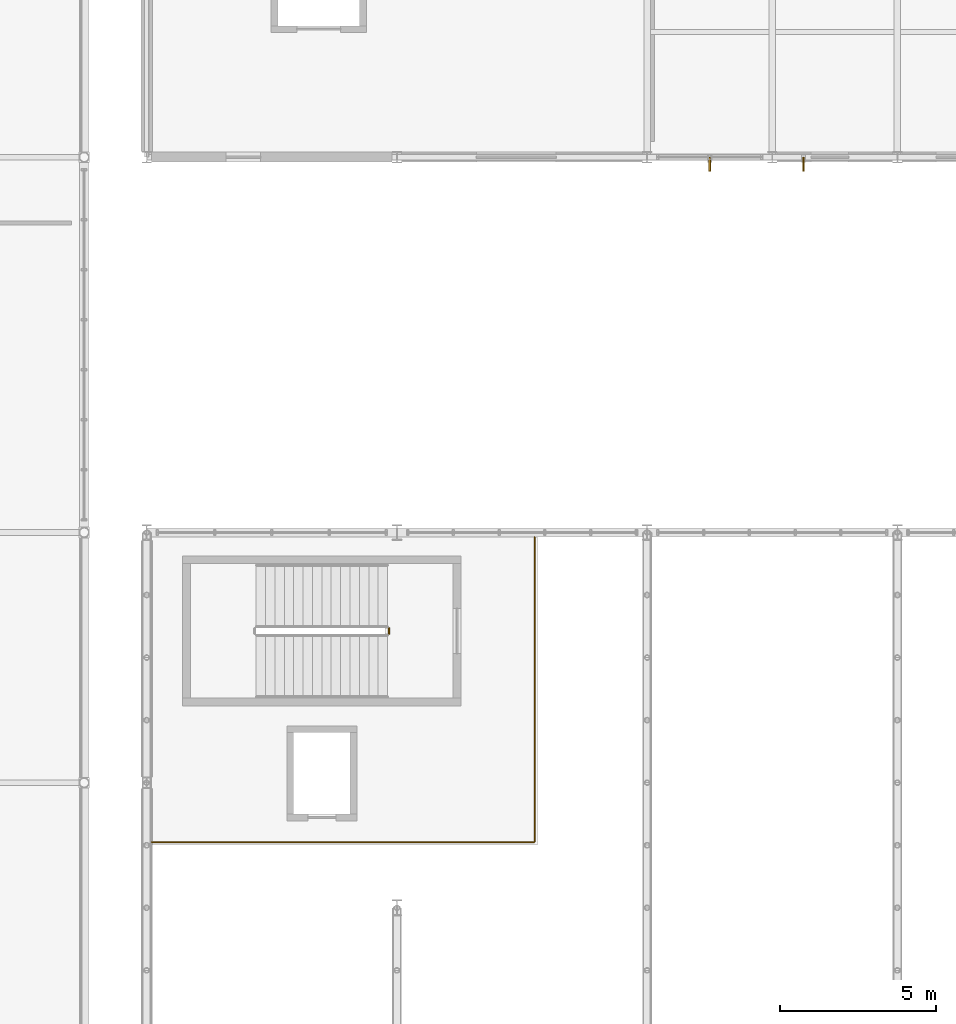
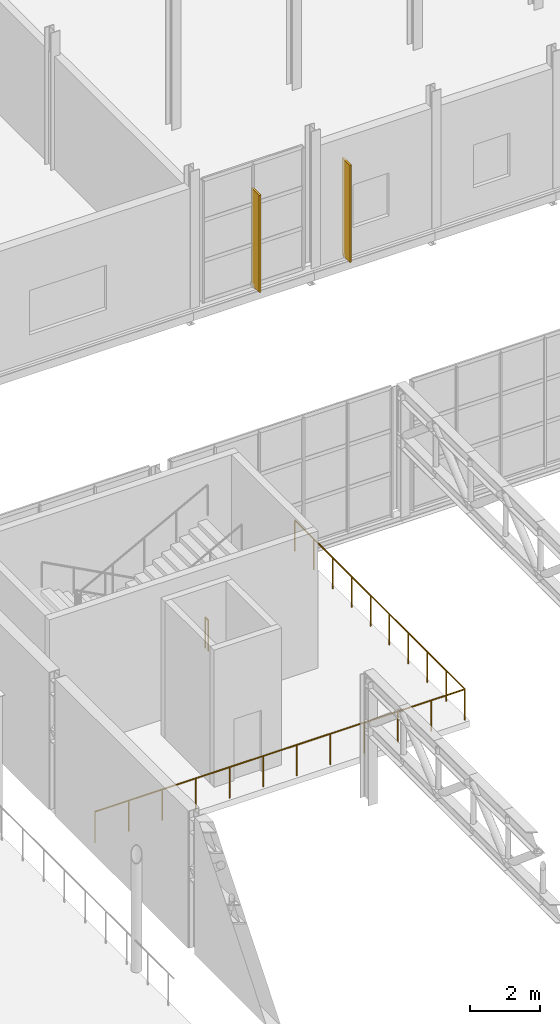
# One storey, part 133 of 143: 2 railings, 2 shading devices.
"""IFC4 building model written with IfcOpenShell, lengths in metres."""

from ifc_helpers import new_model, si_unit, derived_unit, direction, frame, origin, origin_2d, place, context, subcontext, project, spatial, rectangle, circle, extrude, material, type_object, element, save


model = new_model("IFC4")

# Units and contexts
model_context = context("Model", 3, precision=1e-05, world=origin(), true_north=direction((0.0, 1.0)))
body_context = subcontext(model_context, "Body", "Model", "MODEL_VIEW")
ifc_project = project(units=[si_unit("LENGTHUNIT", "METRE"), si_unit("AREAUNIT", "SQUARE_METRE"), si_unit("VOLUMEUNIT", "CUBIC_METRE"), si_unit("PLANEANGLEUNIT", "RADIAN"), si_unit("MASSUNIT", "GRAM", prefix="KILO"), derived_unit("THERMALTRANSMITTANCEUNIT", [(si_unit("POWERUNIT", "WATT"), 1), (si_unit("LENGTHUNIT", "METRE"), -2), (si_unit("THERMODYNAMICTEMPERATUREUNIT", "KELVIN"), -1)])], contexts=[model_context])

# Site, building, storey
site_placement = place(None, origin())
site = spatial("IfcSite", under=ifc_project, at=site_placement, CompositionType="ELEMENT")
building_placement = place(site_placement, origin())
building = spatial("IfcBuilding", under=site, at=building_placement, Name="Keldorne Ridge Multi-Sports Centre", CompositionType="ELEMENT")
storey_placement = place(building_placement, frame((0.0, 0.0, 4.800048828125)))
storey = spatial("IfcBuildingStorey", under=building, at=storey_placement, Name="L01", CompositionType="ELEMENT", Elevation=4.800048828125)

# Railings
ifc_material_1 = material(Name="Laminated glass and stainless steel", Category="steel")
railing_type = type_object("IfcRailingType", Name="RLG-BL-01", PredefinedType="BALUSTRADE", material=ifc_material_1)
railing_1_placement = place(storey_placement, frame((111.75, 50.93994140625, 0.0)))
element("IfcRailing", 1, at=railing_1_placement, inside=storey, type_object=railing_type, Name="L01 ST-04 stair guard 4", PredefinedType="BALUSTRADE", context=body_context, shape_type="SweptSolid", body=[
    extrude(circle(Radius=0.02392578125, at=origin_2d()), frame((0.0, 0.0, 1.076171875), z_axis=(0.0, -1.0, 0.0), x_axis=(1.0, 0.0, 0.0)), (0.0, 0.0, 1.0), 0.179931640625),
    extrude(circle(Radius=0.02099609375, at=origin_2d()), origin(), (0.0, 0.0, 1.0), 1.052001953125),
    extrude(circle(Radius=0.02099609375, at=origin_2d()), frame((0.0, -0.179931640625, 0.0)), (0.0, 0.0, 1.0), 1.052001953125),
])
railing_2_placement = place(storey_placement, frame((104.14990234375, 44.10009765625, 0.0)))
element("IfcRailing", 2, at=railing_2_placement, inside=storey, type_object=railing_type, Name="Safety balustrade RLG-V2-C4-L01", PredefinedType="BALUSTRADE", context=body_context, shape_type="SweptSolid", body=[
    extrude(circle(Radius=0.02392578125, at=origin_2d()), frame((0.0, 0.0, 1.076171875), z_axis=(1.0, 0.0, 0.0), x_axis=(0.0, 1.0, 0.0)), (0.0, 0.0, 1.0), 12.25),
    extrude(circle(Radius=0.02392578125, at=origin_2d()), frame((12.25, 0.0, 1.076171875), z_axis=(0.0, 1.0, 0.0), x_axis=(-1.0, 0.0, 0.0)), (0.0, 0.0, 1.0), 9.75),
    extrude(circle(Radius=0.02099609375, at=origin_2d()), origin(), (0.0, 0.0, 1.0), 1.052001953125),
    extrude(circle(Radius=0.02099609375, at=origin_2d()), frame((1.113525390625, 0.0, 0.0)), (0.0, 0.0, 1.0), 1.052001953125),
    extrude(circle(Radius=0.02099609375, at=origin_2d()), frame((2.227294921875, 0.0, 0.0)), (0.0, 0.0, 1.0), 1.052001953125),
    extrude(circle(Radius=0.02099609375, at=origin_2d()), frame((3.3408203125, 0.0, 0.0)), (0.0, 0.0, 1.0), 1.052001953125),
    extrude(circle(Radius=0.02099609375, at=origin_2d()), frame((4.45458984375, 0.0, 0.0)), (0.0, 0.0, 1.0), 1.052001953125),
    extrude(circle(Radius=0.02099609375, at=origin_2d()), frame((5.568115234375, 0.0, 0.0)), (0.0, 0.0, 1.0), 1.052001953125),
    extrude(circle(Radius=0.02099609375, at=origin_2d()), frame((6.681884765625, 0.0, 0.0)), (0.0, 0.0, 1.0), 1.052001953125),
    extrude(circle(Radius=0.02099609375, at=origin_2d()), frame((7.79541015625, 0.0, 0.0)), (0.0, 0.0, 1.0), 1.052001953125),
    extrude(circle(Radius=0.02099609375, at=origin_2d()), frame((8.9091796875, 0.0, 0.0)), (0.0, 0.0, 1.0), 1.052001953125),
    extrude(circle(Radius=0.02099609375, at=origin_2d()), frame((10.022705078125, 0.0, 0.0)), (0.0, 0.0, 1.0), 1.052001953125),
    extrude(circle(Radius=0.02099609375, at=origin_2d()), frame((11.136474609375, 0.0, 0.0)), (0.0, 0.0, 1.0), 1.052001953125),
    extrude(circle(Radius=0.02099609375, at=origin_2d()), frame((12.25, 0.0, 0.0)), (0.0, 0.0, 1.0), 1.052001953125),
    extrude(circle(Radius=0.02099609375, at=origin_2d()), frame((12.25, 1.083251953125, 0.0)), (0.0, 0.0, 1.0), 1.052001953125),
    extrude(circle(Radius=0.02099609375, at=origin_2d()), frame((12.25, 2.166748046875, 0.0)), (0.0, 0.0, 1.0), 1.052001953125),
    extrude(circle(Radius=0.02099609375, at=origin_2d()), frame((12.25, 3.25, 0.0)), (0.0, 0.0, 1.0), 1.052001953125),
    extrude(circle(Radius=0.02099609375, at=origin_2d()), frame((12.25, 4.333251953125, 0.0)), (0.0, 0.0, 1.0), 1.052001953125),
    extrude(circle(Radius=0.02099609375, at=origin_2d()), frame((12.25, 5.416748046875, 0.0)), (0.0, 0.0, 1.0), 1.052001953125),
    extrude(circle(Radius=0.02099609375, at=origin_2d()), frame((12.25, 6.5, 0.0)), (0.0, 0.0, 1.0), 1.052001953125),
    extrude(circle(Radius=0.02099609375, at=origin_2d()), frame((12.25, 7.583251953125, 0.0)), (0.0, 0.0, 1.0), 1.052001953125),
    extrude(circle(Radius=0.02099609375, at=origin_2d()), frame((12.25, 8.666748046875, 0.0)), (0.0, 0.0, 1.0), 1.052001953125),
    extrude(circle(Radius=0.02099609375, at=origin_2d()), frame((12.25, 9.75, 0.0)), (0.0, 0.0, 1.0), 1.052001953125),
])

# Shading devices
ifc_material_2 = material(Name="Anodized aluminium", Category="aluminium")
shading_device_type = type_object("IfcShadingDeviceType", Name="SHD-SF-01", PredefinedType="SHUTTER", material=ifc_material_2)
for number, where, z_axis, x_axis, name in (
    (3, (122.0, 65.77490234375, 0.0), (0.0, 0.0, 1.0), (1.0, 0.0, 0.0), "Vertical solar shading fin SF-01"),
    (4, (125.0, 65.77490234375, 0.0), (0.0, 0.0, 1.0), (1.0, 0.0, 0.0), "Vertical solar shading fin SF-02"),
):
    element("IfcShadingDevice", number, at=place(storey_placement, frame(where, z_axis=z_axis, x_axis=x_axis)), inside=storey, type_object=shading_device_type, Name=name, PredefinedType="SHUTTER", context=body_context, shape_type="SweptSolid", body=[
        extrude(rectangle(XDim=0.06005859375, YDim=0.449951171875, at=origin_2d()), origin(), (0.0, 0.0, 1.0), 3.39990234375),
    ])

save(model, "model.ifc")
